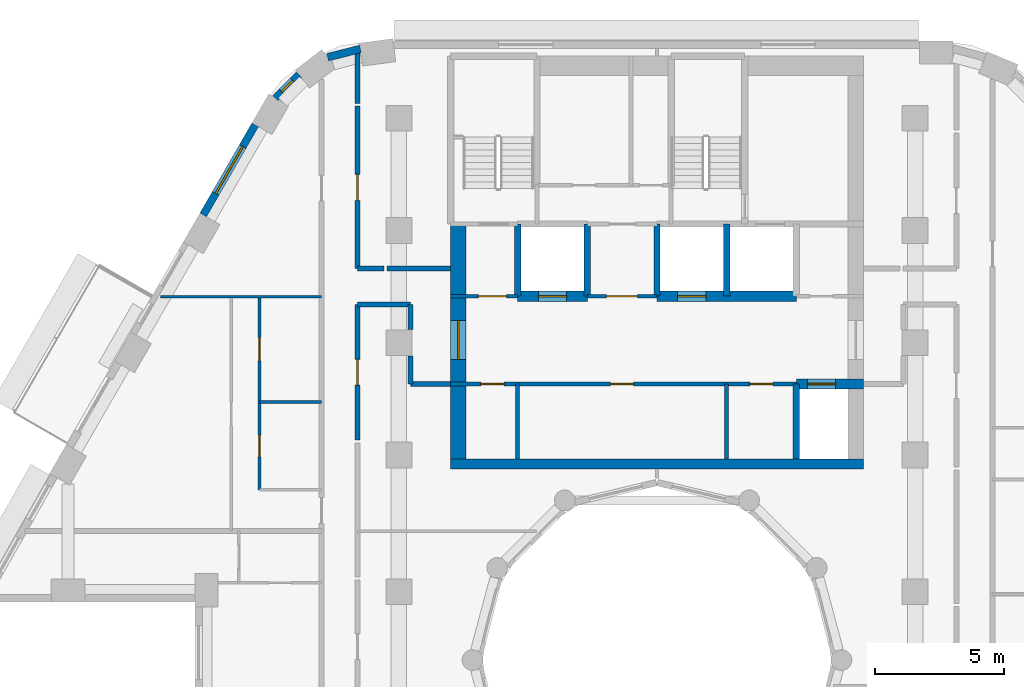
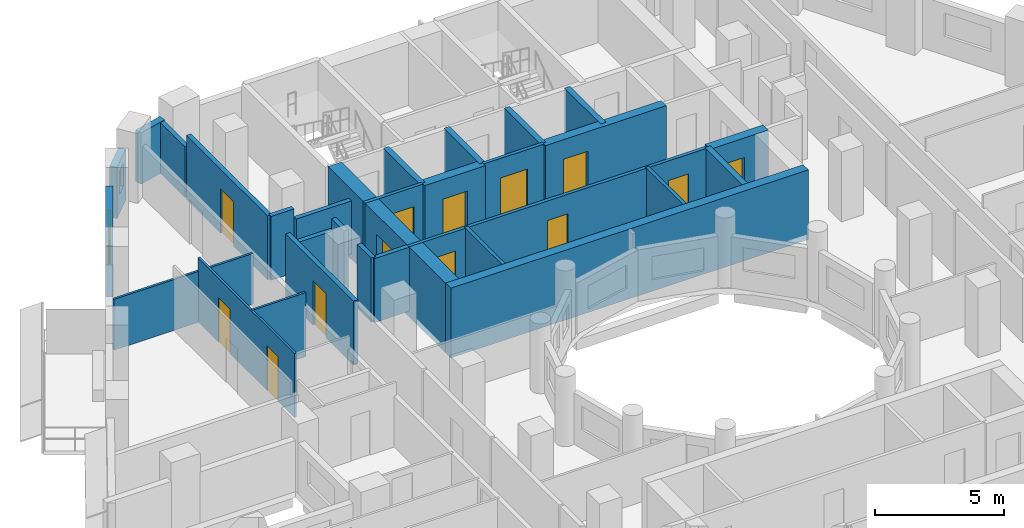
# One storey, part 7 of 13: 30 walls, 13 doors, 2 windows, 15 openings.
"""IFC4 building model written with IfcOpenShell, lengths in metres."""

from ifc_helpers import new_model, si_unit, direction, frame, frame_2d, origin, place, context, subcontext, project, spatial, rectangle, extrude, material, layer, layer_set, type_object, element, fill, save


model = new_model("IFC4")

# Units and contexts
model_context = context("Model", 3, precision=1e-05, world=origin(), true_north=direction((0.0, 1.0)))
body_context = subcontext(model_context, "Body", "Model", "MODEL_VIEW")
ifc_project = project(units=[si_unit("LENGTHUNIT", "METRE"), si_unit("AREAUNIT", "SQUARE_METRE"), si_unit("VOLUMEUNIT", "CUBIC_METRE"), si_unit("PLANEANGLEUNIT", "RADIAN"), si_unit("MASSUNIT", "GRAM", prefix="KILO")], contexts=[model_context])

# Site, building, storey
site_placement = place(None, origin())
site = spatial("IfcSite", under=ifc_project, at=site_placement, CompositionType="ELEMENT")
building_placement = place(site_placement, origin())
building = spatial("IfcBuilding", under=site, at=building_placement, Name="Nakaniwa Court", CompositionType="ELEMENT")
storey_placement = place(building_placement, frame((0.0, 0.0, 150.300048828125)))
storey = spatial("IfcBuildingStorey", under=building, at=storey_placement, Name="L39", CompositionType="ELEMENT", Elevation=150.300048828125)

# Walls
ifc_material_1 = material(Name="Acoustic double stud partition")
ifc_layer_1 = layer(ifc_material_1, 0.199951171875)
ifc_layer_set_1 = layer_set([ifc_layer_1], Name="Acoustic double stud partition")
wall_type_1 = type_object("IfcWallType", Name="Acoustic double stud partition 200", PredefinedType="PARTITIONING", material=ifc_layer_set_1)
wall_1_placement = place(storey_placement, frame((68.39990234375, 93.77490234375, 0.0), z_axis=(0.0, 0.0, 1.0), x_axis=(1.0, 0.0, 0.0)))
element("IfcWall", 1, at=wall_1_placement, inside=storey, type_object=wall_type_1, Name="Partition PW-089", PredefinedType="PARTITIONING", context=body_context, shape_type="SweptSolid", body=[
    extrude(rectangle(XDim=2.050048828125, YDim=0.199951171875, at=frame_2d((1.02490234375, 0.0))), origin(), (0.0, 0.0, 1.0), 2.5048828125),
])
wall_2_placement = place(storey_placement, frame((70.449951171875, 90.699951171875, 0.0), z_axis=(0.0, 0.0, 1.0), x_axis=(1.0, 0.0, 0.0)))
element("IfcWall", 2, at=wall_2_placement, inside=storey, type_object=wall_type_1, Name="Partition PW-091", PredefinedType="PARTITIONING", context=body_context, shape_type="SweptSolid", body=[
    extrude(rectangle(XDim=1.550048828125, YDim=0.199951171875, at=frame_2d((0.77490234375, 0.0))), origin(), (0.0, 0.0, 1.0), 3.02490234375),
])
wall_3_placement = place(storey_placement, frame((68.39990234375, 95.175048828125, 0.0), z_axis=(0.0, 0.0, 1.0), x_axis=(1.0, 0.0, 0.0)))
element("IfcWall", 3, at=wall_3_placement, inside=storey, type_object=wall_type_1, Name="Partition PW-093", PredefinedType="PARTITIONING", context=body_context, shape_type="SweptSolid", body=[
    extrude(rectangle(XDim=1.02294921875, YDim=0.199951171875, at=frame_2d((0.511474609375, 0.0))), origin(), (0.0, 0.0, 1.0), 3.02490234375),
])
wall_4_placement = place(storey_placement, frame((69.537109375, 95.175048828125, 0.0), z_axis=(0.0, 0.0, 1.0), x_axis=(1.0, 0.0, 0.0)))
element("IfcWall", 4, at=wall_4_placement, inside=storey, type_object=wall_type_1, Name="Partition PW-094", PredefinedType="PARTITIONING", context=body_context, shape_type="SweptSolid", body=[
    extrude(rectangle(XDim=2.462890625, YDim=0.199951171875, at=frame_2d((1.2314453125, 0.0))), origin(), (0.0, 0.0, 1.0), 2.5048828125),
])

# Wall, opening, door
wall_5_placement = place(storey_placement, frame((68.39990234375, 93.77490234375, 0.0), z_axis=(0.0, 0.0, 1.0), x_axis=(0.0, -1.0, 0.0)))
wall_5 = element("IfcWall", 5, at=wall_5_placement, inside=storey, type_object=wall_type_1, Name="Partition PW-103", PredefinedType="PARTITIONING", context=body_context, shape_type="SweptSolid", body=[
    extrude(rectangle(XDim=5.247802734375, YDim=0.199951171875, at=frame_2d((2.6240234375, 0.0))), origin(), (0.0, 0.0, 1.0), 3.02490234375),
])
opening_1_placement = place(wall_5_placement, frame((2.123046875, 0.0, 0.0)))
opening_1 = element("IfcOpeningElement", 6, at=opening_1_placement, cuts=wall_5, Name="Opening D-02-09", PredefinedType="OPENING", context=body_context, shape_type="SweptSolid", body=[
    extrude(rectangle(XDim=1.0, YDim=2.10009765625, at=frame_2d((0.5, 1.050048828125))), frame((0.0, 0.10986328125, 0.0), z_axis=(0.0, -1.0, 0.0), x_axis=(1.0, 0.0, 0.0)), (0.0, 0.0, 1.0), 0.219970703125),
])
ifc_material_2 = material(Name="Solid core timber door set, black veneer", Category="wood")
door_type_1 = type_object("IfcDoorType", Name="Internal door 1000", OperationType="NOTDEFINED", PredefinedType="DOOR", material=ifc_material_2)
door_1_placement = place(opening_1_placement, origin())
door_1 = element("IfcDoor", 7, at=door_1_placement, inside=storey, type_object=door_type_1, Name="Door D-02-09 L39-040", OperationType="SINGLE_SWING_LEFT", OverallHeight=2.10009765625, OverallWidth=1.0, PredefinedType="DOOR", context=body_context, shape_type="SweptSolid", body=[
    extrude(rectangle(XDim=1.0, YDim=2.10009765625, at=frame_2d((0.5, 1.050048828125))), frame((0.0, 0.02490234375, 0.0), z_axis=(0.0, -1.0, 0.0), x_axis=(1.0, 0.0, 0.0)), (0.0, 0.0, 1.0), 0.050048828125),
])
fill(opening_1, door_1)

wall_6_placement = place(storey_placement, frame((68.39990234375, 101.462890625, 0.0), z_axis=(0.0, 0.0, 1.0), x_axis=(0.0, -1.0, 0.0)))
wall_6 = element("IfcWall", 8, at=wall_6_placement, inside=storey, type_object=wall_type_1, Name="Partition PW-104", PredefinedType="PARTITIONING", context=body_context, shape_type="SweptSolid", body=[
    extrude(rectangle(XDim=6.287841796875, YDim=0.199951171875, at=frame_2d((3.14404296875, 0.0))), origin(), (0.0, 0.0, 1.0), 3.02490234375),
])
opening_2_placement = place(wall_6_placement, frame((2.64501953125, 0.0, 0.0)))
opening_2 = element("IfcOpeningElement", 9, at=opening_2_placement, cuts=wall_6, Name="Opening D-02-10", PredefinedType="OPENING", context=body_context, shape_type="SweptSolid", body=[
    extrude(rectangle(XDim=1.0, YDim=2.10009765625, at=frame_2d((0.5, 1.050048828125))), frame((0.0, 0.10986328125, 0.0), z_axis=(0.0, -1.0, 0.0), x_axis=(1.0, 0.0, 0.0)), (0.0, 0.0, 1.0), 0.219970703125),
])
door_2_placement = place(opening_2_placement, origin())
door_2 = element("IfcDoor", 10, at=door_2_placement, inside=storey, type_object=door_type_1, Name="Door D-02-10 L39-045", OperationType="SINGLE_SWING_RIGHT", OverallHeight=2.10009765625, OverallWidth=1.0, PredefinedType="DOOR", context=body_context, shape_type="SweptSolid", body=[
    extrude(rectangle(XDim=1.0, YDim=2.10009765625, at=frame_2d((0.5, 1.050048828125))), frame((0.0, 0.02490234375, 0.0), z_axis=(0.0, -1.0, 0.0), x_axis=(1.0, 0.0, 0.0)), (0.0, 0.0, 1.0), 0.050048828125),
])
fill(opening_2, door_2)

# Walls
wall_7_placement = place(storey_placement, frame((68.39990234375, 101.5771484375, 0.0), z_axis=(0.0, 0.0, 1.0), x_axis=(0.0, 1.0, 0.0)))
element("IfcWall", 11, at=wall_7_placement, inside=storey, type_object=wall_type_1, Name="Partition PW-105", PredefinedType="PARTITIONING", context=body_context, shape_type="SweptSolid", body=[
    extrude(rectangle(XDim=2.02197265625, YDim=0.199951171875, at=frame_2d((1.010986328125, 0.0))), origin(), (0.0, 0.0, 1.0), 2.405029296875),
])
wall_8_placement = place(storey_placement, frame((70.449951171875, 90.699951171875, 0.0), z_axis=(0.0, 0.0, 1.0), x_axis=(0.0, 1.0, 0.0)))
element("IfcWall", 12, at=wall_8_placement, inside=storey, type_object=wall_type_1, Name="Partition PW-109", PredefinedType="PARTITIONING", context=body_context, shape_type="SweptSolid", body=[
    extrude(rectangle(XDim=1.082763671875, YDim=0.199951171875, at=frame_2d((0.54150390625, 0.0))), origin(), (0.0, 0.0, 1.0), 3.02490234375),
])
wall_9_placement = place(storey_placement, frame((70.449951171875, 92.817138671875, 0.0), z_axis=(0.0, 0.0, 1.0), x_axis=(0.0, 1.0, 0.0)))
element("IfcWall", 13, at=wall_9_placement, inside=storey, type_object=wall_type_1, Name="Partition PW-110", PredefinedType="PARTITIONING", context=body_context, shape_type="SweptSolid", body=[
    extrude(rectangle(XDim=0.957763671875, YDim=0.199951171875, at=frame_2d((0.47900390625, 0.0))), origin(), (0.0, 0.0, 1.0), 3.02490234375),
])
ifc_material_3 = material(Name="Charcoal ceramic cladding")
ifc_layer_2 = layer(ifc_material_3, 0.02, Name="Ceramic cladding")
ifc_material_4 = material(Name="Ventilated air cavity")
ifc_layer_3 = layer(ifc_material_4, 0.04, ventilated=True, Name="Ventilated cavity")
ifc_material_5 = material(Name="Mineral wool insulation")
ifc_layer_4 = layer(ifc_material_5, 0.1, Name="Insulation")
ifc_material_6 = material(Name="Cement bonded sheathing board")
ifc_layer_5 = layer(ifc_material_6, 0.012, Name="Sheathing")
ifc_material_7 = material(Name="Cold-formed galvanised stud frame with mineral wool infill")
ifc_layer_6 = layer(ifc_material_7, 0.1, Name="Stud frame")
ifc_material_8 = material(Name="Fire-rated gypsum plasterboard lining")
ifc_layer_7 = layer(ifc_material_8, 0.028, Name="Lining")
ifc_layer_set_2 = layer_set([ifc_layer_2, ifc_layer_3, ifc_layer_4, ifc_layer_5, ifc_layer_6, ifc_layer_7], Name="Charcoal ceramic faced external wall system")
wall_type_2 = type_object("IfcWallType", Name="Black ceramic faced external wall 300", PredefinedType="SOLIDWALL", material=ifc_layer_set_2)
wall_10_placement = place(storey_placement, frame((68.506103515625, 103.68310546875, 0.0), z_axis=(0.0, 0.0, 1.0), x_axis=(-0.96924493129, -0.246098076322, 0.0)))
element("IfcWall", 14, at=wall_10_placement, inside=storey, type_object=wall_type_2, Name="L39 external wall 09", PredefinedType="SOLIDWALL", context=body_context, shape_type="SweptSolid", body=[
    extrude(rectangle(XDim=1.305419921875, YDim=0.300048828125, at=frame_2d((0.65283203125, 0.0))), origin(), (0.0, 0.0, 1.0), 2.425048828125),
])

# Wall, opening, window
wall_11_placement = place(storey_placement, frame((66.12890625, 102.68798828125, 0.0), z_axis=(0.0, 0.0, 1.0), x_axis=(-0.70881270082, -0.705396735997, 0.0)))
wall_11 = element("IfcWall", 15, at=wall_11_placement, inside=storey, type_object=wall_type_2, Name="L39 external wall 10", PredefinedType="SOLIDWALL", context=body_context, shape_type="SweptSolid", body=[
    extrude(rectangle(XDim=1.286376953125, YDim=0.300048828125, at=frame_2d((0.64306640625, 0.0))), origin(), (0.0, 0.0, 1.0), 2.425048828125),
])
opening_3_placement = place(wall_11_placement, frame((0.3330078125, 0.0, 0.89990234375)))
opening_3 = element("IfcOpeningElement", 16, at=opening_3_placement, cuts=wall_11, Name="Opening W8.10", PredefinedType="OPENING", context=body_context, shape_type="SweptSolid", body=[
    extrude(rectangle(XDim=0.60009765625, YDim=1.10009765625, at=frame_2d((0.300048828125, 0.550048828125))), frame((0.0, 0.159912109375, 0.0), z_axis=(0.0, -1.0, 0.0), x_axis=(1.0, 0.0, 0.0)), (0.0, 0.0, 1.0), 0.320068359375),
])
ifc_material_9 = material(Name="Black anodised aluminium frame with dark low-E laminated double glazing", Category="aluminium")
window_type_1 = type_object("IfcWindowType", Name="Dark glass window 600x1100 sill 900", PartitioningType="SINGLE_PANEL", PredefinedType="WINDOW", material=ifc_material_9)
window_1_placement = place(opening_3_placement, origin())
window_1 = element("IfcWindow", 17, at=window_1_placement, inside=storey, type_object=window_type_1, Name="L39 habitable room window 10-0", OverallHeight=1.10009765625, OverallWidth=0.60009765625, PartitioningType="SINGLE_PANEL", PredefinedType="WINDOW", context=body_context, shape_type="SweptSolid", body=[
    extrude(rectangle(XDim=0.60009765625, YDim=1.10009765625, at=frame_2d((0.300048828125, 0.550048828125))), frame((0.0, 0.030029296875, 0.0), z_axis=(0.0, -1.0, 0.0), x_axis=(1.0, 0.0, 0.0)), (0.0, 0.0, 1.0), 0.06005859375),
])
fill(opening_3, window_1)

wall_12_placement = place(storey_placement, frame((64.434814453125, 100.739990234375, 0.0), z_axis=(0.0, 0.0, 1.0), x_axis=(-0.500031546601, -0.86600718958, 0.0)))
wall_12 = element("IfcWall", 18, at=wall_12_placement, inside=storey, type_object=wall_type_2, Name="L39 external wall 11", PredefinedType="SOLIDWALL", context=body_context, shape_type="SweptSolid", body=[
    extrude(rectangle(XDim=4.033935546875, YDim=0.300048828125, at=frame_2d((2.01708984375, 0.0))), origin(), (0.0, 0.0, 1.0), 2.425048828125),
])
opening_4_placement = place(wall_12_placement, frame((0.967041015625, 0.0, 0.89990234375)))
opening_4 = element("IfcOpeningElement", 19, at=opening_4_placement, cuts=wall_12, Name="Opening W7.11", PredefinedType="OPENING", context=body_context, shape_type="SweptSolid", body=[
    extrude(rectangle(XDim=2.10009765625, YDim=1.10009765625, at=frame_2d((1.050048828125, 0.550048828125))), frame((0.0, 0.159912109375, 0.0), z_axis=(0.0, -1.0, 0.0), x_axis=(1.0, 0.0, 0.0)), (0.0, 0.0, 1.0), 0.320068359375),
])
window_type_2 = type_object("IfcWindowType", Name="Dark glass window 2100x1100 sill 900", PartitioningType="SINGLE_PANEL", PredefinedType="WINDOW", material=ifc_material_9)
window_2_placement = place(opening_4_placement, origin())
window_2 = element("IfcWindow", 20, at=window_2_placement, inside=storey, type_object=window_type_2, Name="L39 habitable room window 11-0", OverallHeight=1.10009765625, OverallWidth=2.10009765625, PartitioningType="SINGLE_PANEL", PredefinedType="WINDOW", context=body_context, shape_type="SweptSolid", body=[
    extrude(rectangle(XDim=2.10009765625, YDim=1.10009765625, at=frame_2d((1.050048828125, 0.550048828125))), frame((0.0, 0.030029296875, 0.0), z_axis=(0.0, -1.0, 0.0), x_axis=(1.0, 0.0, 0.0)), (0.0, 0.0, 1.0), 0.06005859375),
])
fill(opening_4, window_2)

# Wall
ifc_material_10 = material(Name="Blockwork partition", Category="masonry")
ifc_layer_8 = layer(ifc_material_10, 0.14990234375)
ifc_layer_set_3 = layer_set([ifc_layer_8], Name="Blockwork partition")
wall_type_3 = type_object("IfcWallType", Name="Blockwork partition 150", PredefinedType="PARTITIONING", material=ifc_layer_set_3)
wall_13_placement = place(storey_placement, frame((74.60009765625, 87.800048828125, 0.0), z_axis=(0.0, 0.0, 1.0), x_axis=(0.0, 1.0, 0.0)))
element("IfcWall", 21, at=wall_13_placement, inside=storey, type_object=wall_type_3, Name="Partition PW-001", PredefinedType="PARTITIONING", context=body_context, shape_type="SweptSolid", body=[
    extrude(rectangle(XDim=2.89990234375, YDim=0.14990234375, at=frame_2d((1.449951171875, 0.0))), origin(), (0.0, 0.0, 1.0), 3.02490234375),
])

# Wall, openings, doors
wall_14_placement = place(storey_placement, frame((85.39990234375, 90.699951171875, 0.0), z_axis=(0.0, 0.0, 1.0), x_axis=(-1.0, 0.0, 0.0)))
wall_14 = element("IfcWall", 22, at=wall_14_placement, inside=storey, type_object=wall_type_3, Name="Partition PW-002", PredefinedType="PARTITIONING", context=body_context, shape_type="SweptSolid", body=[
    extrude(rectangle(XDim=13.39990234375, YDim=0.14990234375, at=frame_2d((6.699951171875, 0.0))), origin(), (0.0, 0.0, 1.0), 3.02490234375),
])
opening_5_placement = place(wall_14_placement, frame((11.324951171875, 0.0, 0.0)))
opening_5 = element("IfcOpeningElement", 23, at=opening_5_placement, cuts=wall_14, Name="Opening D-05-01", PredefinedType="OPENING", context=body_context, shape_type="SweptSolid", body=[
    extrude(rectangle(XDim=0.89990234375, YDim=2.10009765625, at=frame_2d((0.449951171875, 1.050048828125))), frame((0.0, 0.0849609375, 0.0), z_axis=(0.0, -1.0, 0.0), x_axis=(1.0, 0.0, 0.0)), (0.0, 0.0, 1.0), 0.169921875),
])
opening_6_placement = place(wall_14_placement, frame((6.300048828125, 0.0, 0.0)))
opening_6 = element("IfcOpeningElement", 24, at=opening_6_placement, cuts=wall_14, Name="Opening D-05-02", PredefinedType="OPENING", context=body_context, shape_type="SweptSolid", body=[
    extrude(rectangle(XDim=0.89990234375, YDim=2.10009765625, at=frame_2d((0.449951171875, 1.050048828125))), frame((0.0, 0.0849609375, 0.0), z_axis=(0.0, -1.0, 0.0), x_axis=(1.0, 0.0, 0.0)), (0.0, 0.0, 1.0), 0.169921875),
])
opening_7_placement = place(wall_14_placement, frame((0.89990234375, 0.0, 0.0)))
opening_7 = element("IfcOpeningElement", 25, at=opening_7_placement, cuts=wall_14, Name="Opening D-05-03", PredefinedType="OPENING", context=body_context, shape_type="SweptSolid", body=[
    extrude(rectangle(XDim=0.89990234375, YDim=2.10009765625, at=frame_2d((0.449951171875, 1.050048828125))), frame((0.0, 0.0849609375, 0.0), z_axis=(0.0, -1.0, 0.0), x_axis=(1.0, 0.0, 0.0)), (0.0, 0.0, 1.0), 0.169921875),
])
ifc_material_11 = material(Name="Fire rated steel door set", Category="steel")
door_type_2 = type_object("IfcDoorType", Name="Service room door 900", OperationType="NOTDEFINED", PredefinedType="DOOR", material=ifc_material_11)
door_3_placement = place(opening_5_placement, origin())
door_3 = element("IfcDoor", 26, at=door_3_placement, inside=storey, type_object=door_type_2, Name="Door D-05-01 L39-001", OperationType="SINGLE_SWING_RIGHT", OverallHeight=2.10009765625, OverallWidth=0.89990234375, PredefinedType="DOOR", context=body_context, shape_type="SweptSolid", body=[
    extrude(rectangle(XDim=0.89990234375, YDim=2.10009765625, at=frame_2d((0.449951171875, 1.050048828125))), frame((0.0, 0.02490234375, 0.0), z_axis=(0.0, -1.0, 0.0), x_axis=(1.0, 0.0, 0.0)), (0.0, 0.0, 1.0), 0.050048828125),
])
fill(opening_5, door_3)
door_4_placement = place(opening_6_placement, origin())
door_4 = element("IfcDoor", 27, at=door_4_placement, inside=storey, type_object=door_type_2, Name="Door D-05-02 L39-002", OperationType="SINGLE_SWING_LEFT", OverallHeight=2.10009765625, OverallWidth=0.89990234375, PredefinedType="DOOR", context=body_context, shape_type="SweptSolid", body=[
    extrude(rectangle(XDim=0.89990234375, YDim=2.10009765625, at=frame_2d((0.449951171875, 1.050048828125))), frame((0.0, 0.02490234375, 0.0), z_axis=(0.0, -1.0, 0.0), x_axis=(1.0, 0.0, 0.0)), (0.0, 0.0, 1.0), 0.050048828125),
])
fill(opening_6, door_4)
door_5_placement = place(opening_7_placement, origin())
door_5 = element("IfcDoor", 28, at=door_5_placement, inside=storey, type_object=door_type_2, Name="Door D-05-03 L39-003", OperationType="SINGLE_SWING_RIGHT", OverallHeight=2.10009765625, OverallWidth=0.89990234375, PredefinedType="DOOR", context=body_context, shape_type="SweptSolid", body=[
    extrude(rectangle(XDim=0.89990234375, YDim=2.10009765625, at=frame_2d((0.449951171875, 1.050048828125))), frame((0.0, 0.02490234375, 0.0), z_axis=(0.0, -1.0, 0.0), x_axis=(1.0, 0.0, 0.0)), (0.0, 0.0, 1.0), 0.050048828125),
])
fill(opening_7, door_5)

# Wall
wall_15_placement = place(storey_placement, frame((82.699951171875, 87.800048828125, 0.0), z_axis=(0.0, 0.0, 1.0), x_axis=(0.0, 1.0, 0.0)))
element("IfcWall", 29, at=wall_15_placement, inside=storey, type_object=wall_type_3, Name="Partition PW-008", PredefinedType="PARTITIONING", context=body_context, shape_type="SweptSolid", body=[
    extrude(rectangle(XDim=2.89990234375, YDim=0.14990234375, at=frame_2d((1.449951171875, 0.0))), origin(), (0.0, 0.0, 1.0), 3.02490234375),
])

# Wall, opening, door
wall_16_placement = place(storey_placement, frame((72.0, 94.10009765625, 0.0), z_axis=(0.0, 0.0, 1.0), x_axis=(1.0, 0.0, 0.0)))
wall_16 = element("IfcWall", 30, at=wall_16_placement, inside=storey, type_object=wall_type_3, Name="Partition PW-009", PredefinedType="PARTITIONING", context=body_context, shape_type="SweptSolid", body=[
    extrude(rectangle(XDim=2.60302734375, YDim=0.14990234375, at=frame_2d((1.301513671875, 0.0))), origin(), (0.0, 0.0, 1.0), 3.02490234375),
])
opening_8_placement = place(wall_16_placement, frame((1.074951171875, 0.0, 0.0)))
opening_8 = element("IfcOpeningElement", 31, at=opening_8_placement, cuts=wall_16, Name="Opening D-08-01", PredefinedType="OPENING", context=body_context, shape_type="SweptSolid", body=[
    extrude(rectangle(XDim=1.10009765625, YDim=2.10009765625, at=frame_2d((0.550048828125, 1.050048828125))), frame((0.0, 0.0849609375, 0.0), z_axis=(0.0, -1.0, 0.0), x_axis=(1.0, 0.0, 0.0)), (0.0, 0.0, 1.0), 0.169921875),
])
door_type_3 = type_object("IfcDoorType", Name="Stair lobby door 1100", OperationType="NOTDEFINED", PredefinedType="DOOR", material=ifc_material_11)
door_6_placement = place(opening_8_placement, origin())
door_6 = element("IfcDoor", 32, at=door_6_placement, inside=storey, type_object=door_type_3, Name="Door D-08-01 L39-004", OperationType="SINGLE_SWING_LEFT", OverallHeight=2.10009765625, OverallWidth=1.10009765625, PredefinedType="DOOR", context=body_context, shape_type="SweptSolid", body=[
    extrude(rectangle(XDim=1.10009765625, YDim=2.10009765625, at=frame_2d((0.550048828125, 1.050048828125))), frame((0.0, 0.02490234375, 0.0), z_axis=(0.0, -1.0, 0.0), x_axis=(1.0, 0.0, 0.0)), (0.0, 0.0, 1.0), 0.050048828125),
])
fill(opening_8, door_6)

wall_17_placement = place(storey_placement, frame((77.297119140625, 94.10009765625, 0.0), z_axis=(0.0, 0.0, 1.0), x_axis=(1.0, 0.0, 0.0)))
wall_17 = element("IfcWall", 33, at=wall_17_placement, inside=storey, type_object=wall_type_3, Name="Partition PW-010", PredefinedType="PARTITIONING", context=body_context, shape_type="SweptSolid", body=[
    extrude(rectangle(XDim=2.705810546875, YDim=0.14990234375, at=frame_2d((1.35302734375, 0.0))), origin(), (0.0, 0.0, 1.0), 3.02490234375),
])
opening_9_placement = place(wall_17_placement, frame((0.7529296875, 0.0, 0.0)))
opening_9 = element("IfcOpeningElement", 34, at=opening_9_placement, cuts=wall_17, Name="Opening D-06-01", PredefinedType="OPENING", context=body_context, shape_type="SweptSolid", body=[
    extrude(rectangle(XDim=1.199951171875, YDim=2.10009765625, at=frame_2d((0.60009765625, 1.050048828125))), frame((0.0, 0.0849609375, 0.0), z_axis=(0.0, -1.0, 0.0), x_axis=(1.0, 0.0, 0.0)), (0.0, 0.0, 1.0), 0.169921875),
])
ifc_material_12 = material(Name="Fire rated steel double door set", Category="steel")
door_type_4 = type_object("IfcDoorType", Name="Service passage double door 1200", OperationType="NOTDEFINED", PredefinedType="DOOR", material=ifc_material_12)
door_7_placement = place(opening_9_placement, origin())
door_7 = element("IfcDoor", 35, at=door_7_placement, inside=storey, type_object=door_type_4, Name="Door D-06-01 L39-005", OperationType="DOUBLE_DOOR_SINGLE_SWING", OverallHeight=2.10009765625, OverallWidth=1.199951171875, PredefinedType="DOOR", context=body_context, shape_type="SweptSolid", body=[
    extrude(rectangle(XDim=1.199951171875, YDim=2.10009765625, at=frame_2d((0.60009765625, 1.050048828125))), frame((0.0, 0.02490234375, 0.0), z_axis=(0.0, -1.0, 0.0), x_axis=(1.0, 0.0, 0.0)), (0.0, 0.0, 1.0), 0.050048828125),
])
fill(opening_9, door_7)

ifc_material_13 = material(Name="Concrete C80/100", Category="concrete")
ifc_layer_9 = layer(ifc_material_13, 0.60009765625)
ifc_layer_set_4 = layer_set([ifc_layer_9], Name="Concrete C80/100")
wall_type_4 = type_object("IfcWallType", Name="Concrete core side wall 600 C80", PredefinedType="SHEAR", material=ifc_layer_set_4)
wall_18_placement = place(storey_placement, frame((72.300048828125, 87.800048828125, -0.275146484375), z_axis=(0.0, 0.0, 1.0), x_axis=(0.0, 1.0, 0.0)))
wall_18 = element("IfcWall", 36, at=wall_18_placement, inside=storey, type_object=wall_type_4, Name="Core wall SW-03", PredefinedType="SHEAR", context=body_context, shape_type="SweptSolid", body=[
    extrude(rectangle(XDim=9.099853515625, YDim=0.60009765625, at=frame_2d((4.5498046875, 0.0))), origin(), (0.0, 0.0, 1.0), 3.300048828125),
])
opening_10_placement = place(wall_18_placement, frame((3.85205078125, 0.0, 0.27490234375)))
opening_10 = element("IfcOpeningElement", 37, at=opening_10_placement, cuts=wall_18, Name="Opening D-07-02", PredefinedType="OPENING", context=body_context, shape_type="SweptSolid", body=[
    extrude(rectangle(XDim=1.5, YDim=2.10009765625, at=frame_2d((0.75, 1.050048828125))), frame((0.0, 0.31005859375, 0.0), z_axis=(0.0, -1.0, 0.0), x_axis=(1.0, 0.0, 0.0)), (0.0, 0.0, 1.0), 0.6201171875),
])
ifc_material_14 = material(Name="Glazed fire rated steel double door set", Category="steel")
door_type_5 = type_object("IfcDoorType", Name="Lobby double door 1500", OperationType="NOTDEFINED", PredefinedType="DOOR", material=ifc_material_14)
door_8_placement = place(opening_10_placement, origin())
door_8 = element("IfcDoor", 38, at=door_8_placement, inside=storey, type_object=door_type_5, Name="Door D-07-02 L39-050", OperationType="DOUBLE_DOOR_SINGLE_SWING", OverallHeight=2.10009765625, OverallWidth=1.5, PredefinedType="DOOR", context=body_context, shape_type="SweptSolid", body=[
    extrude(rectangle(XDim=1.5, YDim=2.10009765625, at=frame_2d((0.75, 1.050048828125))), frame((0.0, 0.02490234375, 0.0), z_axis=(0.0, -1.0, 0.0), x_axis=(1.0, 0.0, 0.0)), (0.0, 0.0, 1.0), 0.050048828125),
])
fill(opening_10, door_8)

ifc_layer_10 = layer(ifc_material_13, 0.39990234375)
ifc_layer_set_5 = layer_set([ifc_layer_10], Name="Concrete C80/100")
wall_type_5 = type_object("IfcWallType", Name="Concrete core spine wall 400 C80", PredefinedType="SHEAR", material=ifc_layer_set_5)
wall_19_placement = place(storey_placement, frame((85.39990234375, 90.699951171875, -0.275146484375), z_axis=(0.0, 0.0, 1.0), x_axis=(1.0, 0.0, 0.0)))
wall_19 = element("IfcWall", 39, at=wall_19_placement, inside=storey, type_object=wall_type_5, Name="Core wall SW-06", PredefinedType="SHEAR", context=body_context, shape_type="SweptSolid", body=[
    extrude(rectangle(XDim=2.60009765625, YDim=0.39990234375, at=frame_2d((1.300048828125, 0.0))), origin(), (0.0, 0.0, 1.0), 3.300048828125),
])
opening_11_placement = place(wall_19_placement, frame((0.425048828125, 0.0, 0.27490234375)))
opening_11 = element("IfcOpeningElement", 40, at=opening_11_placement, cuts=wall_19, Name="Opening LD01", PredefinedType="OPENING", context=body_context, shape_type="SweptSolid", body=[
    extrude(rectangle(XDim=1.10009765625, YDim=2.10009765625, at=frame_2d((0.550048828125, 1.050048828125))), frame((0.0, 0.2099609375, 0.0), z_axis=(0.0, -1.0, 0.0), x_axis=(1.0, 0.0, 0.0)), (0.0, 0.0, 1.0), 0.419921875),
])
ifc_material_15 = material(Name="Stainless steel sliding lift landing door", Category="steel")
door_type_6 = type_object("IfcDoorType", Name="Lift landing door 1100", OperationType="NOTDEFINED", PredefinedType="DOOR", material=ifc_material_15)
door_9_placement = place(opening_11_placement, origin())
door_9 = element("IfcDoor", 41, at=door_9_placement, inside=storey, type_object=door_type_6, Name="Lift landing door LD01 L39-001", OperationType="SLIDING_TO_LEFT", OverallHeight=2.10009765625, OverallWidth=1.10009765625, PredefinedType="DOOR", context=body_context, shape_type="SweptSolid", body=[
    extrude(rectangle(XDim=1.10009765625, YDim=2.10009765625, at=frame_2d((0.550048828125, 1.050048828125))), frame((0.0, 0.02490234375, 0.0), z_axis=(0.0, -1.0, 0.0), x_axis=(1.0, 0.0, 0.0)), (0.0, 0.0, 1.0), 0.050048828125),
])
fill(opening_11, door_9)

wall_20_placement = place(storey_placement, frame((74.596923828125, 94.10009765625, -0.275146484375), z_axis=(0.0, 0.0, 1.0), x_axis=(1.0, 0.0, 0.0)))
wall_20 = element("IfcWall", 42, at=wall_20_placement, inside=storey, type_object=wall_type_5, Name="Core wall SW-12", PredefinedType="SHEAR", context=body_context, shape_type="SweptSolid", body=[
    extrude(rectangle(XDim=2.7060546875, YDim=0.39990234375, at=frame_2d((1.35302734375, 0.0))), origin(), (0.0, 0.0, 1.0), 3.300048828125),
])
opening_12_placement = place(wall_20_placement, frame((0.802978515625, 0.0, 0.27490234375)))
opening_12 = element("IfcOpeningElement", 43, at=opening_12_placement, cuts=wall_20, Name="Opening LD02", PredefinedType="OPENING", context=body_context, shape_type="SweptSolid", body=[
    extrude(rectangle(XDim=1.10009765625, YDim=2.10009765625, at=frame_2d((0.550048828125, 1.050048828125))), frame((0.0, 0.2099609375, 0.0), z_axis=(0.0, -1.0, 0.0), x_axis=(1.0, 0.0, 0.0)), (0.0, 0.0, 1.0), 0.419921875),
])
door_10_placement = place(opening_12_placement, origin())
door_10 = element("IfcDoor", 44, at=door_10_placement, inside=storey, type_object=door_type_6, Name="Lift landing door LD02 L39-002", OperationType="SLIDING_TO_LEFT", OverallHeight=2.10009765625, OverallWidth=1.10009765625, PredefinedType="DOOR", context=body_context, shape_type="SweptSolid", body=[
    extrude(rectangle(XDim=1.10009765625, YDim=2.10009765625, at=frame_2d((0.550048828125, 1.050048828125))), frame((0.0, 0.02490234375, 0.0), z_axis=(0.0, -1.0, 0.0), x_axis=(1.0, 0.0, 0.0)), (0.0, 0.0, 1.0), 0.050048828125),
])
fill(opening_12, door_10)

wall_21_placement = place(storey_placement, frame((79.9970703125, 94.10009765625, -0.275146484375), z_axis=(0.0, 0.0, 1.0), x_axis=(1.0, 0.0, 0.0)))
wall_21 = element("IfcWall", 45, at=wall_21_placement, inside=storey, type_object=wall_type_5, Name="Core wall SW-13", PredefinedType="SHEAR", context=body_context, shape_type="SweptSolid", body=[
    extrude(rectangle(XDim=5.406005859375, YDim=0.39990234375, at=frame_2d((2.703125, 0.0))), origin(), (0.0, 0.0, 1.0), 3.300048828125),
])
opening_13_placement = place(wall_21_placement, frame((0.802978515625, 0.0, 0.27490234375)))
opening_13 = element("IfcOpeningElement", 46, at=opening_13_placement, cuts=wall_21, Name="Opening LD03", PredefinedType="OPENING", context=body_context, shape_type="SweptSolid", body=[
    extrude(rectangle(XDim=1.10009765625, YDim=2.10009765625, at=frame_2d((0.550048828125, 1.050048828125))), frame((0.0, 0.2099609375, 0.0), z_axis=(0.0, -1.0, 0.0), x_axis=(1.0, 0.0, 0.0)), (0.0, 0.0, 1.0), 0.419921875),
])
door_11_placement = place(opening_13_placement, origin())
door_11 = element("IfcDoor", 47, at=door_11_placement, inside=storey, type_object=door_type_6, Name="Lift landing door LD03 L39-003", OperationType="SLIDING_TO_LEFT", OverallHeight=2.10009765625, OverallWidth=1.10009765625, PredefinedType="DOOR", context=body_context, shape_type="SweptSolid", body=[
    extrude(rectangle(XDim=1.10009765625, YDim=2.10009765625, at=frame_2d((0.550048828125, 1.050048828125))), frame((0.0, 0.02490234375, 0.0), z_axis=(0.0, -1.0, 0.0), x_axis=(1.0, 0.0, 0.0)), (0.0, 0.0, 1.0), 0.050048828125),
])
fill(opening_13, door_11)

# Walls
ifc_layer_11 = layer(ifc_material_13, 0.39990234375)
ifc_layer_set_6 = layer_set([ifc_layer_11], Name="Concrete C80/100")
wall_type_6 = type_object("IfcWallType", Name="Concrete core well wall 400 C80", PredefinedType="SHEAR", material=ifc_layer_set_6)
wall_22_placement = place(storey_placement, frame((72.00390625, 87.60009765625, -0.275146484375), z_axis=(0.0, 0.0, 1.0), x_axis=(1.0, 0.0, 0.0)))
element("IfcWall", 48, at=wall_22_placement, inside=storey, type_object=wall_type_6, Name="Core wall SW-134", PredefinedType="SHEAR", context=body_context, shape_type="SweptSolid", body=[
    extrude(rectangle(XDim=15.9921875, YDim=0.39990234375, at=frame_2d((7.99609375, 0.0))), origin(), (0.0, 0.0, 1.0), 3.300048828125),
])
ifc_layer_12 = layer(ifc_material_13, 0.25)
ifc_layer_set_7 = layer_set([ifc_layer_12], Name="Concrete C80/100")
wall_type_7 = type_object("IfcWallType", Name="Concrete shaft wall 250 C80", PredefinedType="SHEAR", material=ifc_layer_set_7)
wall_23_placement = place(storey_placement, frame((85.39990234375, 87.800048828125, -0.275146484375), z_axis=(0.0, 0.0, 1.0), x_axis=(0.0, 1.0, 0.0)))
element("IfcWall", 49, at=wall_23_placement, inside=storey, type_object=wall_type_7, Name="Core wall SW-04", PredefinedType="SHEAR", context=body_context, shape_type="SweptSolid", body=[
    extrude(rectangle(XDim=2.89990234375, YDim=0.25, at=frame_2d((1.449951171875, 0.0))), origin(), (0.0, 0.0, 1.0), 3.300048828125),
])
for number, where, z_axis, x_axis, name in (
    (50, (74.60009765625, 94.10009765625, -0.275146484375), (0.0, 0.0, 1.0), (0.0, 1.0, 0.0), "Core wall SW-14"),
    (51, (77.300048828125, 94.10009765625, -0.275146484375), (0.0, 0.0, 1.0), (0.0, 1.0, 0.0), "Core wall SW-16"),
    (52, (80.0, 94.10009765625, -0.275146484375), (0.0, 0.0, 1.0), (0.0, 1.0, 0.0), "Core wall SW-19"),
    (53, (82.699951171875, 94.10009765625, -0.275146484375), (0.0, 0.0, 1.0), (0.0, 1.0, 0.0), "Core wall SW-21"),
):
    element("IfcWall", number, at=place(storey_placement, frame(where, z_axis=z_axis, x_axis=x_axis)), inside=storey, type_object=wall_type_7, Name=name, PredefinedType="SHEAR", context=body_context, shape_type="SweptSolid", body=[
        extrude(rectangle(XDim=2.7998046875, YDim=0.25, at=frame_2d((1.39990234375, 0.0))), origin(), (0.0, 0.0, 1.0), 3.300048828125),
    ])
ifc_material_16 = material(Name="Single stud plasterboard partition")
ifc_layer_13 = layer(ifc_material_16, 0.10009765625)
ifc_layer_set_8 = layer_set([ifc_layer_13], Name="Single stud plasterboard partition")
wall_type_8 = type_object("IfcWallType", Name="Single stud plasterboard partition 100", PredefinedType="PARTITIONING", material=ifc_layer_set_8)
wall_24_placement = place(storey_placement, frame((64.59912109375, 90.0009765625, 0.0), z_axis=(0.0, 0.0, 1.0), x_axis=(1.0, 0.0, 0.0)))
element("IfcWall", 54, at=wall_24_placement, inside=storey, type_object=wall_type_8, Name="Partition PW-129", PredefinedType="PARTITIONING", context=body_context, shape_type="SweptSolid", body=[
    extrude(rectangle(XDim=2.39990234375, YDim=0.10009765625, at=frame_2d((1.199951171875, 0.0))), origin(), (0.0, 0.0, 1.0), 3.02490234375),
])

# Wall, openings, doors
wall_25_placement = place(storey_placement, frame((64.59912109375, 94.083251953125, 0.0), z_axis=(0.0, 0.0, 1.0), x_axis=(0.0, -1.0, 0.0)))
wall_25 = element("IfcWall", 55, at=wall_25_placement, inside=storey, type_object=wall_type_8, Name="Partition PW-130", PredefinedType="PARTITIONING", context=body_context, shape_type="SweptSolid", body=[
    extrude(rectangle(XDim=7.483154296875, YDim=0.10009765625, at=frame_2d((3.74169921875, 0.0))), origin(), (0.0, 0.0, 1.0), 3.02490234375),
])
opening_14_placement = place(wall_25_placement, frame((5.35693359375, 0.0, 0.0)))
opening_14 = element("IfcOpeningElement", 56, at=opening_14_placement, cuts=wall_25, Name="Opening D-03-03", PredefinedType="OPENING", context=body_context, shape_type="SweptSolid", body=[
    extrude(rectangle(XDim=0.85009765625, YDim=2.10009765625, at=frame_2d((0.425048828125, 1.050048828125))), frame((0.0, 0.06005859375, 0.0), z_axis=(0.0, -1.0, 0.0), x_axis=(1.0, 0.0, 0.0)), (0.0, 0.0, 1.0), 0.1201171875),
])
opening_15_placement = place(wall_25_placement, frame((1.591064453125, 0.0, 0.0)))
opening_15 = element("IfcOpeningElement", 57, at=opening_15_placement, cuts=wall_25, Name="Opening D-33-06", PredefinedType="OPENING", context=body_context, shape_type="SweptSolid", body=[
    extrude(rectangle(XDim=0.89990234375, YDim=2.10009765625, at=frame_2d((0.449951171875, 1.050048828125))), frame((0.0, 0.06005859375, 0.0), z_axis=(0.0, -1.0, 0.0), x_axis=(1.0, 0.0, 0.0)), (0.0, 0.0, 1.0), 0.1201171875),
])
ifc_material_17 = material(Name="Moisture sealed timber door set", Category="wood")
door_type_7 = type_object("IfcDoorType", Name="Bathroom door 850", OperationType="NOTDEFINED", PredefinedType="DOOR", material=ifc_material_17)
door_12_placement = place(opening_14_placement, origin())
door_12 = element("IfcDoor", 58, at=door_12_placement, inside=storey, type_object=door_type_7, Name="Door D-03-03 L39-042", OperationType="SINGLE_SWING_LEFT", OverallHeight=2.10009765625, OverallWidth=0.85009765625, PredefinedType="DOOR", context=body_context, shape_type="SweptSolid", body=[
    extrude(rectangle(XDim=0.85009765625, YDim=2.10009765625, at=frame_2d((0.425048828125, 1.050048828125))), frame((0.0, 0.02490234375, 0.0), z_axis=(0.0, -1.0, 0.0), x_axis=(1.0, 0.0, 0.0)), (0.0, 0.0, 1.0), 0.050048828125),
])
fill(opening_14, door_12)
door_type_8 = type_object("IfcDoorType", Name="Internal door 900", OperationType="NOTDEFINED", PredefinedType="DOOR", material=ifc_material_2)
door_13_placement = place(opening_15_placement, origin())
door_13 = element("IfcDoor", 59, at=door_13_placement, inside=storey, type_object=door_type_8, Name="Door D-33-06 L39-043", OperationType="SINGLE_SWING_RIGHT", OverallHeight=2.10009765625, OverallWidth=0.89990234375, PredefinedType="DOOR", context=body_context, shape_type="SweptSolid", body=[
    extrude(rectangle(XDim=0.89990234375, YDim=2.10009765625, at=frame_2d((0.449951171875, 1.050048828125))), frame((0.0, 0.02490234375, 0.0), z_axis=(0.0, -1.0, 0.0), x_axis=(1.0, 0.0, 0.0)), (0.0, 0.0, 1.0), 0.050048828125),
])
fill(opening_15, door_13)

# Wall
wall_26_placement = place(storey_placement, frame((60.764404296875, 94.0830078125, 0.0), z_axis=(0.0, 0.0, 1.0), x_axis=(1.0, 0.0, 0.0)))
element("IfcWall", 60, at=wall_26_placement, inside=storey, type_object=wall_type_8, Name="Partition PW-132", PredefinedType="PARTITIONING", context=body_context, shape_type="SweptSolid", body=[
    extrude(rectangle(XDim=6.234619140625, YDim=0.10009765625, at=frame_2d((3.1171875, 0.0))), origin(), (0.0, 0.0, 1.0), 2.405029296875),
])

save(model, "model.ifc")
